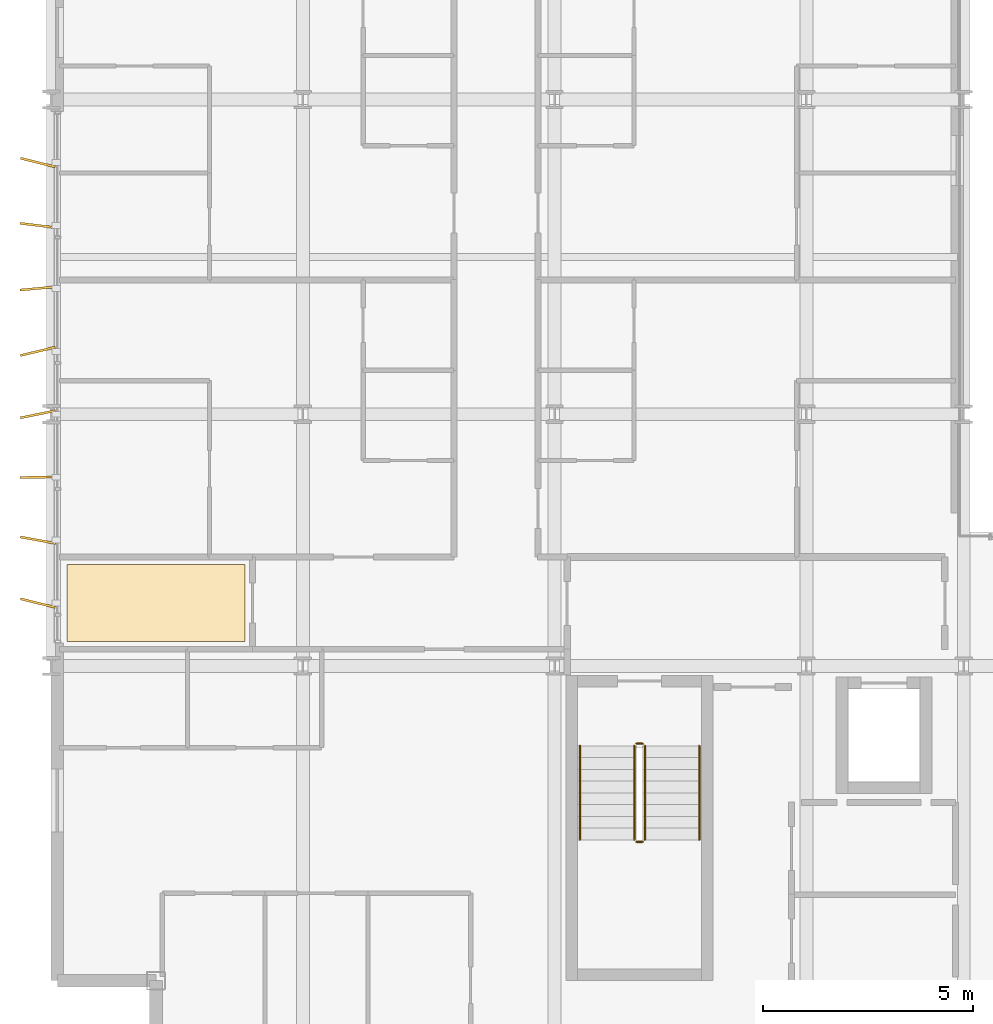
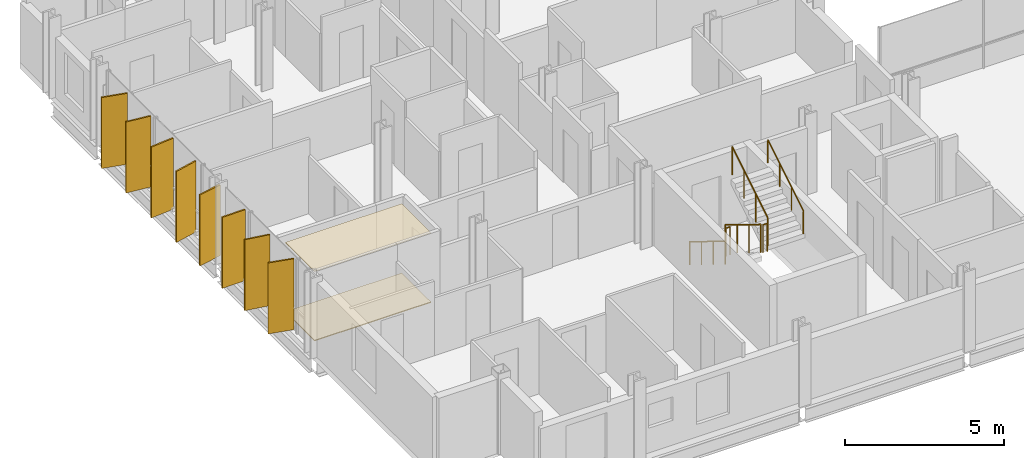
# One storey, part 36 of 39: 8 shading devices, 6 railings, 2 coverings.
"""IFC4 building model written with IfcOpenShell, lengths in metres."""

from ifc_helpers import new_model, si_unit, direction, frame, origin, origin_2d, place, context, subcontext, project, spatial, polyline, rectangle, circle, outline, extrude, material, layer, layer_set, type_object, element, save


model = new_model("IFC4")

# Units and contexts
model_context = context("Model", 3, precision=1e-05, world=origin(), true_north=direction((0.0, 1.0)))
body_context = subcontext(model_context, "Body", "Model", "MODEL_VIEW")
ifc_project = project(units=[si_unit("LENGTHUNIT", "METRE"), si_unit("AREAUNIT", "SQUARE_METRE"), si_unit("VOLUMEUNIT", "CUBIC_METRE"), si_unit("PLANEANGLEUNIT", "RADIAN"), si_unit("MASSUNIT", "GRAM", prefix="KILO")], contexts=[model_context])

# Site, building, storey
site_placement = place(None, origin())
site = spatial("IfcSite", under=ifc_project, at=site_placement, CompositionType="ELEMENT")
building_placement = place(site_placement, origin())
building = spatial("IfcBuilding", under=site, at=building_placement, Name="Brevholm Reach", CompositionType="ELEMENT")
storey_placement = place(building_placement, frame((0.0, 0.0, 77.60009765625)))
storey = spatial("IfcBuildingStorey", under=building, at=storey_placement, Name="L22", CompositionType="ELEMENT", Elevation=77.60009765625)

# Coverings
ifc_material_1 = material(Name="Moisture-Resistant Skimmed Gypsum Plasterboard Ceiling", Category="gypsum")
ifc_layer_1 = layer(ifc_material_1, 0.030029296875)
ifc_layer_set_1 = layer_set([ifc_layer_1], Name="Moisture-Resistant Skimmed Gypsum Plasterboard Ceiling")
covering_type_1 = type_object("IfcCoveringType", Name="COV-CLG-GYP", PredefinedType="CEILING", material=ifc_layer_set_1)
covering_1_placement = place(storey_placement, frame((0.0, 0.0, 2.669921875)))
element("IfcCovering", 1, at=covering_1_placement, inside=storey, type_object=covering_type_1, Name="L22 Suspended Ceiling L22-34", PredefinedType="CEILING", context=body_context, shape_type="SweptSolid", body=[
    extrude(outline(polyline([(0.3798828125, 12.419921875), (4.615966796875, 12.419921875), (4.615966796875, 10.583984375), (0.3798828125, 10.583984375), (0.3798828125, 12.419921875)])), origin(), (0.0, 0.0, 1.0), 0.030029296875),
])
ifc_material_2 = material(Name="Honed Portland-Aggregate Resin Terrazzo Flooring", Category="concrete")
ifc_layer_2 = layer(ifc_material_2, 0.031982421875)
ifc_layer_set_2 = layer_set([ifc_layer_2], Name="Honed Portland-Aggregate Resin Terrazzo Flooring")
covering_type_2 = type_object("IfcCoveringType", Name="COV-FLR-TRZ", PredefinedType="FLOORING", material=ifc_layer_set_2)
covering_2_placement = place(storey_placement, origin())
element("IfcCovering", 2, at=covering_2_placement, inside=storey, type_object=covering_type_2, Name="L22 Floor Finish L22-34", PredefinedType="FLOORING", context=body_context, shape_type="SweptSolid", body=[
    extrude(outline(polyline([(0.3798828125, 12.419921875), (4.615966796875, 12.419921875), (4.615966796875, 10.583984375), (0.3798828125, 10.583984375), (0.3798828125, 12.419921875)])), origin(), (0.0, 0.0, 1.0), 0.031982421875),
])

# Railings
ifc_material_3 = material(Name="Brushed Stainless Steel EN 1.4401 Continuous Handrail", Category="steel")
railing_type_1 = type_object("IfcRailingType", Name="RAL-HND-950", PredefinedType="HANDRAIL", material=ifc_material_3)
railing_1_placement = place(storey_placement, frame((12.60009765625, 8.10009765625, 0.172119140625)))
element("IfcRailing", 3, at=railing_1_placement, inside=storey, type_object=railing_type_1, Name="L22 ST-1 stair handrail 1", PredefinedType="HANDRAIL", context=body_context, shape_type="SweptSolid", body=[
    extrude(circle(Radius=0.02392578125, at=origin_2d()), frame((0.0, 0.0, 0.8857421875), z_axis=(0.0, -0.85178898068, 0.523885037382), x_axis=(1.0, 0.0, 0.0)), (0.0, 0.0, 1.0), 2.629638671875),
    extrude(circle(Radius=0.02099609375, at=origin_2d()), origin(), (0.0, 0.0, 1.0), 0.86181640625),
    extrude(circle(Radius=0.02099609375, at=origin_2d()), frame((0.0, -0.74658203125, 0.459228515625)), (0.0, 0.0, 1.0), 0.86181640625),
    extrude(circle(Radius=0.02099609375, at=origin_2d()), frame((0.0, -1.493408203125, 0.91845703125)), (0.0, 0.0, 1.0), 0.86181640625),
    extrude(circle(Radius=0.02099609375, at=origin_2d()), frame((0.0, -2.239990234375, 1.377685546875)), (0.0, 0.0, 1.0), 0.86181640625),
])
railing_2_placement = place(storey_placement, frame((15.449951171875, 5.860107421875, 1.72216796875)))
element("IfcRailing", 4, at=railing_2_placement, inside=storey, type_object=railing_type_1, Name="L22 ST-1 stair handrail 2", PredefinedType="HANDRAIL", context=body_context, shape_type="SweptSolid", body=[
    extrude(circle(Radius=0.02392578125, at=origin_2d()), frame((0.0, 0.0, 0.8857421875), z_axis=(0.0, 0.85178898068, 0.523885037382), x_axis=(-1.0, 0.0, 0.0)), (0.0, 0.0, 1.0), 2.629638671875),
    extrude(circle(Radius=0.02099609375, at=origin_2d()), origin(), (0.0, 0.0, 1.0), 0.86181640625),
    extrude(circle(Radius=0.02099609375, at=origin_2d()), frame((0.0, 0.74658203125, 0.459228515625)), (0.0, 0.0, 1.0), 0.86181640625),
    extrude(circle(Radius=0.02099609375, at=origin_2d()), frame((0.0, 1.493408203125, 0.91845703125)), (0.0, 0.0, 1.0), 0.86181640625),
    extrude(circle(Radius=0.02099609375, at=origin_2d()), frame((0.0, 2.239990234375, 1.377685546875)), (0.0, 0.0, 1.0), 0.86181640625),
])
ifc_material_4 = material(Name="Painted Tubular Galvanised Steel S275JR Stair Guard", Category="steel")
railing_type_2 = type_object("IfcRailingType", Name="RAL-STG-1120", PredefinedType="BALUSTRADE", material=ifc_material_4)
railing_3_placement = place(storey_placement, frame((13.89990234375, 8.10009765625, 0.172119140625)))
element("IfcRailing", 5, at=railing_3_placement, inside=storey, type_object=railing_type_2, Name="L22 ST-1 stair guard 1", PredefinedType="BALUSTRADE", context=body_context, shape_type="SweptSolid", body=[
    extrude(circle(Radius=0.02392578125, at=origin_2d()), frame((0.0, 0.0, 1.076171875), z_axis=(0.0, -0.85178898068, 0.523885037382), x_axis=(1.0, 0.0, 0.0)), (0.0, 0.0, 1.0), 2.629638671875),
    extrude(circle(Radius=0.02099609375, at=origin_2d()), origin(), (0.0, 0.0, 1.0), 1.052001953125),
    extrude(circle(Radius=0.02099609375, at=origin_2d()), frame((0.0, -0.74658203125, 0.459228515625)), (0.0, 0.0, 1.0), 1.052001953125),
    extrude(circle(Radius=0.02099609375, at=origin_2d()), frame((0.0, -1.493408203125, 0.91845703125)), (0.0, 0.0, 1.0), 1.052001953125),
    extrude(circle(Radius=0.02099609375, at=origin_2d()), frame((0.0, -2.239990234375, 1.377685546875)), (0.0, 0.0, 1.0), 1.052001953125),
])
railing_4_placement = place(storey_placement, frame((13.949951171875, 5.81005859375, 1.5498046875)))
element("IfcRailing", 6, at=railing_4_placement, inside=storey, type_object=railing_type_2, Name="L22 ST-1 stair guard 2", PredefinedType="BALUSTRADE", context=body_context, shape_type="SweptSolid", body=[
    extrude(circle(Radius=0.02392578125, at=origin_2d()), frame((0.0, 0.0, 1.076171875), z_axis=(1.0, 0.0, 0.0), x_axis=(0.0, 1.0, 0.0)), (0.0, 0.0, 1.0), 0.150146484375),
    extrude(circle(Radius=0.02099609375, at=origin_2d()), origin(), (0.0, 0.0, 1.0), 1.052001953125),
    extrude(circle(Radius=0.02099609375, at=origin_2d()), frame((0.150146484375, 0.0, 0.0)), (0.0, 0.0, 1.0), 1.052001953125),
])
railing_5_placement = place(storey_placement, frame((14.14990234375, 5.860107421875, 1.72216796875)))
element("IfcRailing", 7, at=railing_5_placement, inside=storey, type_object=railing_type_2, Name="L22 ST-1 stair guard 3", PredefinedType="BALUSTRADE", context=body_context, shape_type="SweptSolid", body=[
    extrude(circle(Radius=0.02392578125, at=origin_2d()), frame((0.0, 0.0, 1.076171875), z_axis=(0.0, 0.85178898068, 0.523885037382), x_axis=(-1.0, 0.0, 0.0)), (0.0, 0.0, 1.0), 2.629638671875),
    extrude(circle(Radius=0.02099609375, at=origin_2d()), origin(), (0.0, 0.0, 1.0), 1.052001953125),
    extrude(circle(Radius=0.02099609375, at=origin_2d()), frame((0.0, 0.74658203125, 0.459228515625)), (0.0, 0.0, 1.0), 1.052001953125),
    extrude(circle(Radius=0.02099609375, at=origin_2d()), frame((0.0, 1.493408203125, 0.91845703125)), (0.0, 0.0, 1.0), 1.052001953125),
    extrude(circle(Radius=0.02099609375, at=origin_2d()), frame((0.0, 2.239990234375, 1.377685546875)), (0.0, 0.0, 1.0), 1.052001953125),
])
railing_6_placement = place(storey_placement, frame((13.949951171875, 8.14990234375, 0.0)))
element("IfcRailing", 8, at=railing_6_placement, inside=storey, type_object=railing_type_2, Name="L22 ST-1 stair guard 4", PredefinedType="BALUSTRADE", context=body_context, shape_type="SweptSolid", body=[
    extrude(circle(Radius=0.02392578125, at=origin_2d()), frame((0.0, 0.0, 1.076171875), z_axis=(1.0, 0.0, 0.0), x_axis=(0.0, 1.0, 0.0)), (0.0, 0.0, 1.0), 0.150146484375),
    extrude(circle(Radius=0.02099609375, at=origin_2d()), origin(), (0.0, 0.0, 1.0), 1.052001953125),
    extrude(circle(Radius=0.02099609375, at=origin_2d()), frame((0.150146484375, 0.0, 0.0)), (0.0, 0.0, 1.0), 1.052001953125),
])

# Shading devices
ifc_material_5 = material(Name="Perforated Champagne-Bronze Anodised Aluminium", Category="aluminium")
ifc_layer_3 = layer(ifc_material_5, 0.054931640625)
ifc_layer_set_3 = layer_set([ifc_layer_3], Name="Perforated Champagne-Bronze Anodised Aluminium")
shading_device_type = type_object("IfcShadingDeviceType", Name="SHD-FIN-850", PredefinedType="USERDEFINED", material=ifc_layer_set_3)
for number, where, z_axis, x_axis, name in (
    (9, (-0.31494140625, 11.5, 0.06982421875), (0.0, 0.0, 1.0), (-0.970992560328, 0.239109698229, 0.0), "L22 Perforated Solar Screen Fin 1"),
    (10, (-0.31494140625, 13.0, 0.06982421875), (0.0, 0.0, 1.0), (-0.983872552786, 0.178870902814, 0.0), "L22 Perforated Solar Screen Fin 2"),
    (11, (-0.31494140625, 14.5, 0.06982421875), (0.0, 0.0, 1.0), (-0.999852229921, -0.017190646328, 0.0), "L22 Perforated Solar Screen Fin 3"),
    (12, (-0.31494140625, 16.0, 0.06982421875), (0.0, 0.0, 1.0), (-0.979809714406, -0.199932297431, 0.0), "L22 Perforated Solar Screen Fin 4"),
    (13, (-0.31494140625, 17.5, 0.06982421875), (0.0, 0.0, 1.0), (-0.972792054895, -0.231679990362, 0.0), "L22 Perforated Solar Screen Fin 5"),
    (14, (-0.31494140625, 19.0, 0.06982421875), (0.0, 0.0, 1.0), (-0.99592857113, -0.090145888466, 0.0), "L22 Perforated Solar Screen Fin 6"),
    (15, (-0.31494140625, 20.5, 0.06982421875), (0.0, 0.0, 1.0), (-0.992658459108, 0.120951161885, 0.0), "L22 Perforated Solar Screen Fin 7"),
    (16, (-0.31494140625, 22.0, 0.06982421875), (0.0, 0.0, 1.0), (-0.970992560328, 0.239109698229, 0.0), "L22 Perforated Solar Screen Fin 8"),
):
    element("IfcShadingDevice", number, at=place(storey_placement, frame(where, z_axis=z_axis, x_axis=x_axis)), inside=storey, type_object=shading_device_type, Name=name, ObjectType="SCREEN", PredefinedType="USERDEFINED", context=body_context, shape_type="SweptSolid", body=[
        extrude(rectangle(XDim=0.85009765625, YDim=0.054931640625, at=origin_2d()), origin(), (0.0, 0.0, 1.0), 2.72998046875),
    ])

save(model, "model.ifc")
